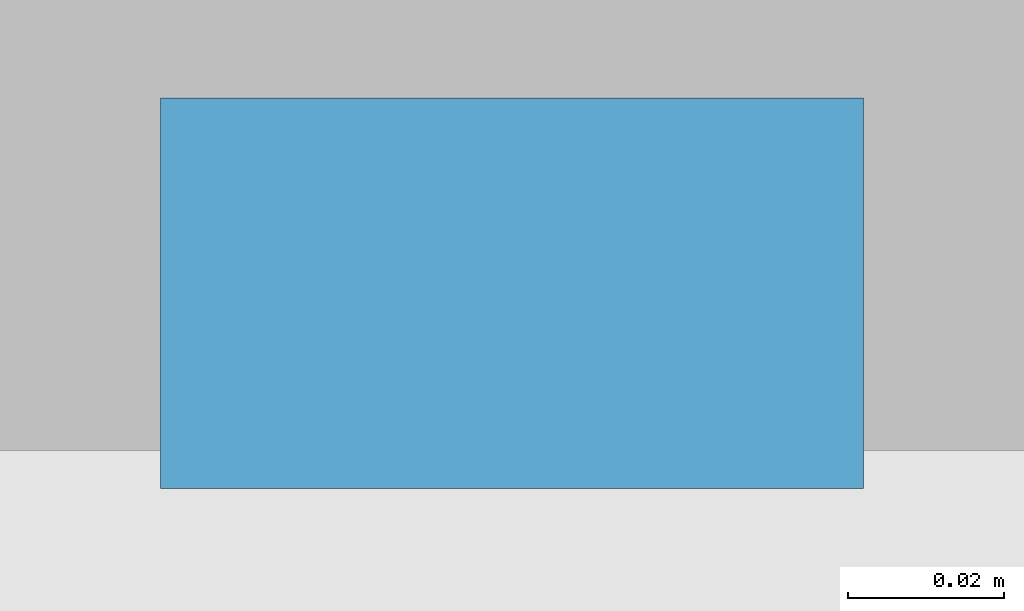
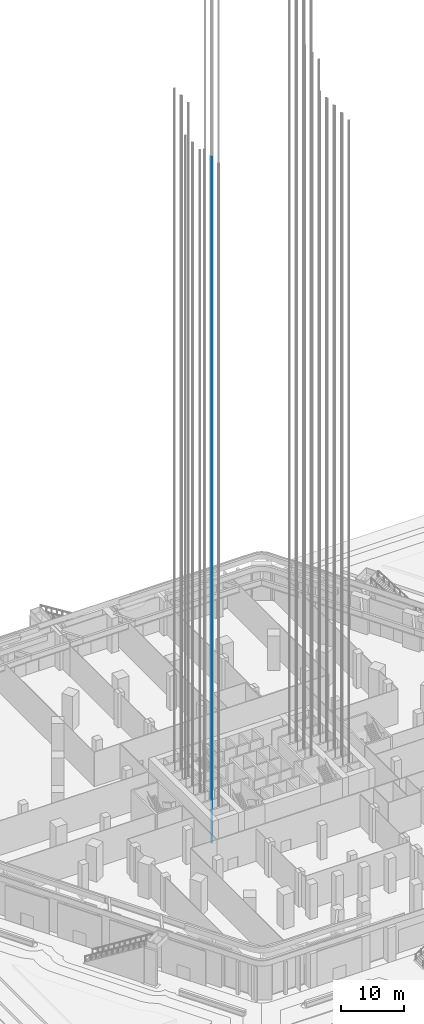
# One storey, part 28 of 68: 1 discrete accessory.
"""IFC4 building model written with IfcOpenShell, lengths in metres."""

from ifc_helpers import new_model, si_unit, direction, frame, origin, origin_2d, place, context, subcontext, project, spatial, rectangle, extrude, element, save


model = new_model("IFC4")

# Units and contexts
model_context = context("Model", 3, precision=1e-05, world=origin(), true_north=direction((0.0, 1.0)))
body_context = subcontext(model_context, "Body", "Model", "MODEL_VIEW")
ifc_project = project(units=[si_unit("LENGTHUNIT", "METRE"), si_unit("AREAUNIT", "SQUARE_METRE"), si_unit("VOLUMEUNIT", "CUBIC_METRE"), si_unit("PLANEANGLEUNIT", "RADIAN"), si_unit("MASSUNIT", "GRAM", prefix="KILO")], contexts=[model_context])

# Site, building, storey
site_placement = place(None, origin())
site = spatial("IfcSite", under=ifc_project, at=site_placement, CompositionType="ELEMENT")
building_placement = place(site_placement, origin())
building = spatial("IfcBuilding", under=site, at=building_placement, Name="Kolab Exchange Tower", CompositionType="ELEMENT")
storey_placement = place(building_placement, origin())
storey = spatial("IfcBuildingStorey", under=building, at=storey_placement, Name="L00", CompositionType="ELEMENT", Elevation=0.0)

# Discrete accessory
discrete_accessory_placement = place(storey_placement, frame((-12.0, -4.929931640625, -1.599853515625), z_axis=(0.0, 0.0, 1.0), x_axis=(1.0, 0.0, 0.0)))
element("IfcDiscreteAccessory", 1, at=discrete_accessory_placement, inside=storey, Name="Guide rail LR5-2", ObjectType="GUIDE RAIL", PredefinedType="USERDEFINED", context=body_context, shape_type="SweptSolid", body=[
    extrude(rectangle(XDim=0.090087890625, YDim=0.050048828125, at=origin_2d()), origin(), (0.0, 0.0, 1.0), 133.39990234375),
])

save(model, "model.ifc")
